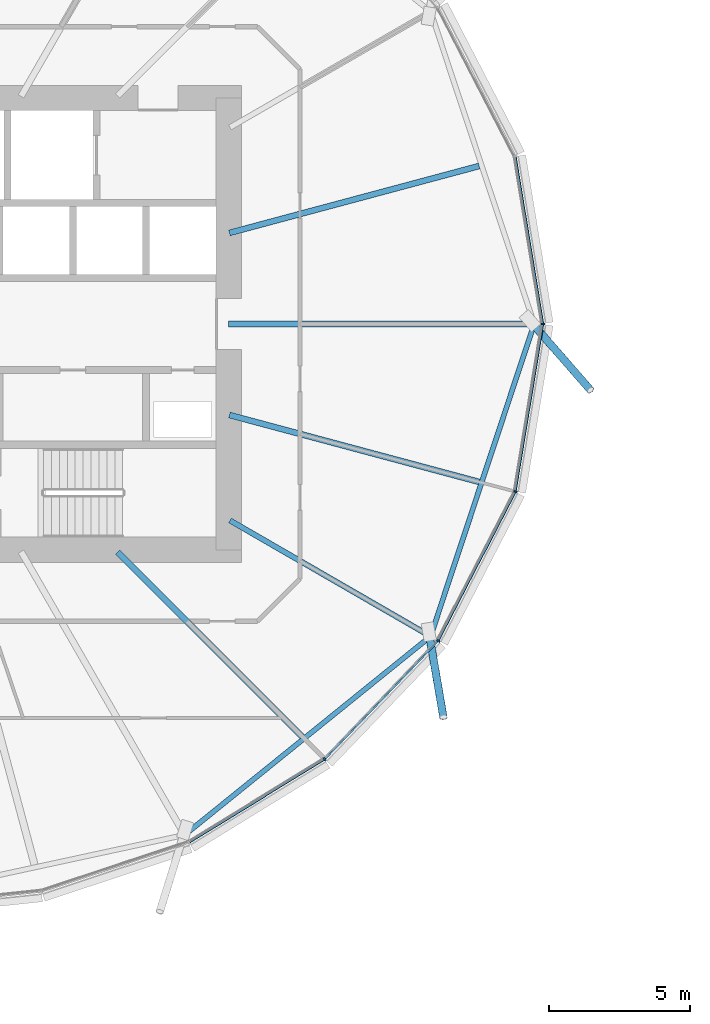
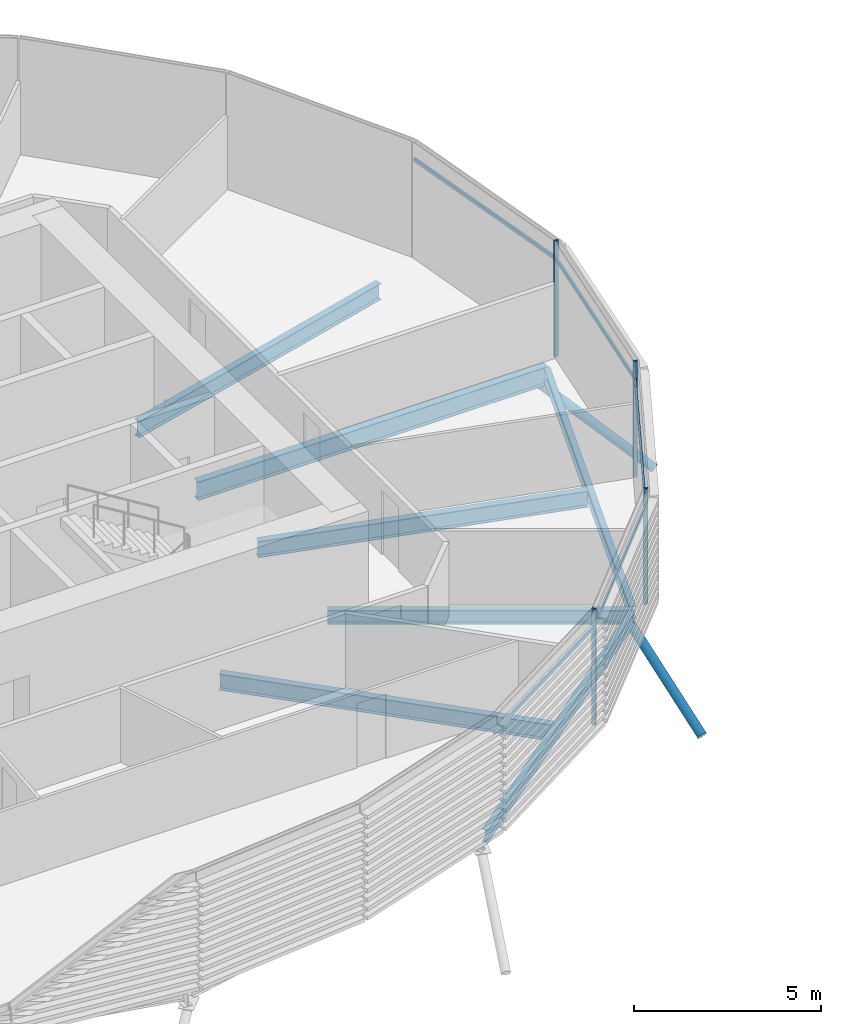
# One storey, part 7 of 37: 11 members, 7 beams, 1 element without a shape of its own.
"""IFC4 building model written with IfcOpenShell, lengths in metres."""

from ifc_helpers import new_model, si_unit, direction, frame, origin, origin_2d, place, context, subcontext, project, spatial, rectangle, hollow_circle, i_section, extrude, clip, halfspace, material, material_profile, profile_set, type_object, element, aggregate, save


model = new_model("IFC4")

# Units and contexts
model_context = context("Model", 3, precision=1e-05, world=origin(), true_north=direction((0.0, 1.0)))
body_context = subcontext(model_context, "Body", "Model", "MODEL_VIEW")
ifc_project = project(units=[si_unit("LENGTHUNIT", "METRE"), si_unit("AREAUNIT", "SQUARE_METRE"), si_unit("VOLUMEUNIT", "CUBIC_METRE"), si_unit("PLANEANGLEUNIT", "RADIAN"), si_unit("MASSUNIT", "GRAM", prefix="KILO")], contexts=[model_context])

# Site, building, storey
site_placement = place(None, origin())
site = spatial("IfcSite", under=ifc_project, at=site_placement, CompositionType="ELEMENT")
building_placement = place(site_placement, origin())
building = spatial("IfcBuilding", under=site, at=building_placement, Name="Rimbun Link Towers", CompositionType="ELEMENT")
storey_placement = place(building_placement, frame((0.0, 0.0, 60.39990234375)))
storey = spatial("IfcBuildingStorey", under=building, at=storey_placement, Name="L14", CompositionType="ELEMENT", Elevation=60.39990234375)

# Curtain wall, members
ifc_material_1 = material(Name="Aluminium 6063-T6 and low-iron glass", Category="aluminium")
curtain_wall_type = type_object("IfcCurtainWallType", Name="CW1 unitised vision wall", PredefinedType="NOTDEFINED", material=ifc_material_1)
curtain_wall_placement = place(storey_placement, origin())
curtain_wall = element("IfcCurtainWall", 1, at=curtain_wall_placement, inside=storey, type_object=curtain_wall_type, Name="CW1 L14 T1", PredefinedType="NOTDEFINED")
ifc_material_2 = material(Name="Aluminium 6063-T6", Category="aluminium")
ifc_material_profile_1 = material_profile(ifc_material_2, rectangle(XDim=0.1201171875, YDim=0.06005859375, at=origin_2d()), Name="MULLION 60X120")
ifc_profile_set_1 = profile_set([ifc_material_profile_1], Name="Aluminium 6063-T6")
member_type_1 = type_object("IfcMemberType", Name="CW1 mullion 60X120", PredefinedType="MULLION", material=ifc_profile_set_1)
member_1_placement = place(storey_placement, frame((-8.618896484375, 0.0, 0.0), z_axis=(0.0, 0.0, 1.0), x_axis=(1.0, 0.0, 0.0)))
member_1 = element("IfcMember", 2, at=member_1_placement, type_object=member_type_1, Name="CW1 mullion", PredefinedType="MULLION", context=body_context, shape_type="SweptSolid", body=[
    extrude(rectangle(XDim=0.1201171875, YDim=0.06005859375, at=origin_2d()), origin(), (0.0, 0.0, 1.0), 3.800048828125),
])
member_2_placement = place(storey_placement, frame((-16.3466796875, -15.412353515625, 0.0), z_axis=(0.0, 0.0, 1.0), x_axis=(0.627665729285, -0.778482968524, 0.0)))
member_2 = element("IfcMember", 3, at=member_2_placement, type_object=member_type_1, Name="CW1 mullion", PredefinedType="MULLION", context=body_context, shape_type="SweptSolid", body=[
    extrude(rectangle(XDim=0.1201171875, YDim=0.06005859375, at=origin_2d()), origin(), (0.0, 0.0, 1.0), 3.800048828125),
])
member_3_placement = place(storey_placement, frame((-12.32763671875, -11.22021484375, 0.0), z_axis=(0.0, 0.0, 1.0), x_axis=(0.813347990418, -0.581777488807, 0.0)))
member_3 = element("IfcMember", 4, at=member_3_placement, type_object=member_type_1, Name="CW1 mullion", PredefinedType="MULLION", context=body_context, shape_type="SweptSolid", body=[
    extrude(rectangle(XDim=0.1201171875, YDim=0.06005859375, at=origin_2d()), origin(), (0.0, 0.0, 1.0), 3.800048828125),
])
member_4_placement = place(storey_placement, frame((-9.595703125, -5.93994140625, 0.0), z_axis=(0.0, 0.0, 1.0), x_axis=(0.9491617925, -0.314788646011, 0.0)))
member_4 = element("IfcMember", 5, at=member_4_placement, type_object=member_type_1, Name="CW1 mullion", PredefinedType="MULLION", context=body_context, shape_type="SweptSolid", body=[
    extrude(rectangle(XDim=0.1201171875, YDim=0.06005859375, at=origin_2d()), origin(), (0.0, 0.0, 1.0), 3.800048828125),
])
ifc_material_3 = material(Name="Aluminium 6063-T6", Category="aluminium")
ifc_material_profile_2 = material_profile(ifc_material_3, rectangle(XDim=0.06005859375, YDim=0.1201171875, at=origin_2d()), Name="TRANSOM 60X120")
ifc_profile_set_2 = profile_set([ifc_material_profile_2], Name="Aluminium 6063-T6")
member_type_2 = type_object("IfcMemberType", Name="CW1 transom 60X120", PredefinedType="USERDEFINED", material=ifc_profile_set_2)
member_5_placement = place(storey_placement, frame((-9.590576171875, 5.90087890625, 3.2001953125), z_axis=(0.162252646062, -0.986749248212, 0.0), x_axis=(0.986749248212, 0.162252646062, 0.0)))
member_5 = element("IfcMember", 6, at=member_5_placement, type_object=member_type_2, Name="CW1 transom", ObjectType="TRANSOM", PredefinedType="USERDEFINED", context=body_context, shape_type="SweptSolid", body=[
    extrude(rectangle(XDim=0.06005859375, YDim=0.1201171875, at=origin_2d()), origin(), (0.0, 0.0, 1.0), 5.9404296875),
])
member_6_placement = place(storey_placement, frame((-16.379638671875, -15.4306640625, 3.2001953125), z_axis=(-0.852172941328, -0.523260239335, 0.0), x_axis=(0.523260239335, -0.852172941328, 0.0)))
member_6 = element("IfcMember", 7, at=member_6_placement, type_object=member_type_2, Name="CW1 transom", ObjectType="TRANSOM", PredefinedType="USERDEFINED", context=body_context, shape_type="SweptSolid", body=[
    extrude(rectangle(XDim=0.06005859375, YDim=0.1201171875, at=origin_2d()), origin(), (0.0, 0.0, 1.0), 5.566162109375),
])
member_7_placement = place(storey_placement, frame((-12.35546875, -11.2470703125, 3.2001953125), z_axis=(-0.692061710026, -0.721838340292, 0.0), x_axis=(0.721838340292, -0.692061710026, 0.0)))
member_7 = element("IfcMember", 8, at=member_7_placement, type_object=member_type_2, Name="CW1 transom", ObjectType="TRANSOM", PredefinedType="USERDEFINED", context=body_context, shape_type="SweptSolid", body=[
    extrude(rectangle(XDim=0.06005859375, YDim=0.1201171875, at=origin_2d()), origin(), (0.0, 0.0, 1.0), 5.731201171875),
])
member_8_placement = place(storey_placement, frame((-9.614990234375, -5.974365234375, 3.2001953125), z_axis=(-0.459554227284, -0.888149712709, 0.0), x_axis=(0.888149712709, -0.459554227284, 0.0)))
member_8 = element("IfcMember", 9, at=member_8_placement, type_object=member_type_2, Name="CW1 transom", ObjectType="TRANSOM", PredefinedType="USERDEFINED", context=body_context, shape_type="SweptSolid", body=[
    extrude(rectangle(XDim=0.06005859375, YDim=0.1201171875, at=origin_2d()), origin(), (0.0, 0.0, 1.0), 5.8671875),
])
member_9_placement = place(storey_placement, frame((-8.626708984375, -0.0390625, 3.2001953125), z_axis=(-0.162252646062, -0.986749248212, 0.0), x_axis=(0.986749248212, -0.162252646062, 0.0)))
member_9 = element("IfcMember", 10, at=member_9_placement, type_object=member_type_2, Name="CW1 transom", ObjectType="TRANSOM", PredefinedType="USERDEFINED", context=body_context, shape_type="SweptSolid", body=[
    extrude(rectangle(XDim=0.06005859375, YDim=0.1201171875, at=origin_2d()), origin(), (0.0, 0.0, 1.0), 5.9404296875),
])
aggregate(curtain_wall, [member_1, member_2, member_3, member_4, member_5, member_6, member_7, member_8, member_9])

# Members
ifc_material_4 = material(Name="Steel S355J2H", Category="steel")
ifc_material_profile_3 = material_profile(ifc_material_4, hollow_circle(Radius=0.136474609375, WallThickness=0.012451171875, at=origin_2d()), Name="CHS 273x12.5")
ifc_profile_set_3 = profile_set([ifc_material_profile_3], Name="Steel S355J2H")
member_type_3 = type_object("IfcMemberType", Name="Floor edge link CHS 273x12.5", PredefinedType="BRACE", material=ifc_profile_set_3)
member_10_placement = place(storey_placement, frame((-8.982421875, 0.0, -0.87841796875), z_axis=(0.557505669506, -0.639054642111, -0.529902437119), x_axis=(0.753550089662, 0.657390494584, 0.0)))
element("IfcMember", 11, at=member_10_placement, inside=storey, type_object=member_type_3, Name="Floor edge link T1 L14 00", PredefinedType="BRACE", context=body_context, shape_type="Clipping", body=[
    clip(extrude(hollow_circle(Radius=0.136474609375, WallThickness=0.012451171875, at=origin_2d()), frame((0.0, 0.0, -0.455810546875)), (0.0, 0.0, 1.0), 4.13525390625), halfspace(frame((0.0, 0.0, -0.215087890625), z_axis=(0.0, 0.848058610672, -0.529902437119)), False)),
])
member_11_placement = place(storey_placement, frame((-12.642578125, -11.031494140625, -0.726318359375), z_axis=(0.139881719513, -0.814754474066, -0.562679528271), x_axis=(0.985580015257, 0.169210027855, 0.0)))
element("IfcMember", 12, at=member_11_placement, inside=storey, type_object=member_type_3, Name="Floor edge link T1 L14 22", PredefinedType="BRACE", context=body_context, shape_type="Clipping", body=[
    clip(extrude(hollow_circle(Radius=0.136474609375, WallThickness=0.012451171875, at=origin_2d()), frame((0.0, 0.0, -0.4189453125)), (0.0, 0.0, 1.0), 3.981201171875), halfspace(frame((0.0, 0.0, -0.197265625), z_axis=(0.0, 0.826675116636, -0.562679528271)), False)),
])

# Beams
ifc_material_5 = material(Name="Steel S355J2", Category="steel")
ifc_material_profile_4 = material_profile(ifc_material_5, i_section(OverallWidth=0.177978515625, OverallDepth=0.406494140625, WebThickness=0.0078125, FlangeThickness=0.0126953125, at=origin_2d()), Name="UB 406x178x60")
ifc_profile_set_4 = profile_set([ifc_material_profile_4], Name="Steel S355J2")
beam_type_1 = type_object("IfcBeamType", Name="UB 406x178x60", PredefinedType="BEAM", material=ifc_profile_set_4)
beam_1_placement = place(storey_placement, frame((-21.21630859375, -18.015380859375, -0.363037109375), z_axis=(0.77798007957, 0.628288942917, 0.0), x_axis=(-0.628288942917, 0.77798007957, 0.0)))
element("IfcBeam", 13, at=beam_1_placement, inside=storey, type_object=beam_type_1, Name="Edge beam T1 L14 20-22", PredefinedType="BEAM", context=body_context, shape_type="SweptSolid", body=[
    extrude(i_section(OverallWidth=0.177978515625, OverallDepth=0.406494140625, WebThickness=0.0078125, FlangeThickness=0.0126953125, at=origin_2d()), origin(), (0.0, 0.0, 1.0), 10.97314453125),
])
beam_2_placement = place(storey_placement, frame((-12.568603515625, -10.963623046875, -0.363037109375), z_axis=(0.31479844704, 0.949158541942, 0.0), x_axis=(-0.949158541942, 0.31479844704, 0.0)))
element("IfcBeam", 14, at=beam_2_placement, inside=storey, type_object=beam_type_1, Name="Edge beam T1 L14 22-00", PredefinedType="BEAM", context=body_context, shape_type="SweptSolid", body=[
    extrude(i_section(OverallWidth=0.177978515625, OverallDepth=0.406494140625, WebThickness=0.0078125, FlangeThickness=0.0126953125, at=origin_2d()), origin(), (0.0, 0.0, 1.0), 11.429931640625),
])
ifc_material_6 = material(Name="Steel S355J2", Category="steel")
ifc_material_profile_5 = material_profile(ifc_material_6, i_section(OverallWidth=0.18994140625, OverallDepth=0.453369140625, WebThickness=0.008544921875, FlangeThickness=0.0126953125, at=origin_2d()), Name="UB 457x191x67")
ifc_profile_set_5 = profile_set([ifc_material_profile_5], Name="Steel S355J2")
beam_type_2 = type_object("IfcBeamType", Name="UB 457x191x67", PredefinedType="BEAM", material=ifc_profile_set_5)
beam_3_placement = place(storey_placement, frame((-19.70166015625, -6.9560546875, -0.38671875), z_axis=(0.866021493816, -0.500006772202, 0.0), x_axis=(0.500006772202, 0.866021493816, 0.0)))
element("IfcBeam", 15, at=beam_3_placement, inside=storey, type_object=beam_type_2, Name="Radial beam T1 L14 22", PredefinedType="BEAM", context=body_context, shape_type="SweptSolid", body=[
    extrude(i_section(OverallWidth=0.18994140625, OverallDepth=0.453369140625, WebThickness=0.008544921875, FlangeThickness=0.0126953125, at=origin_2d()), origin(), (0.0, 0.0, 1.0), 8.201171875),
])
ifc_material_7 = material(Name="Steel S355J2", Category="steel")
ifc_material_profile_6 = material_profile(ifc_material_7, i_section(OverallWidth=0.209228515625, OverallDepth=0.533203125, WebThickness=0.010009765625, FlangeThickness=0.015625, at=origin_2d()), Name="UB 533x210x92")
ifc_profile_set_6 = profile_set([ifc_material_profile_6], Name="Steel S355J2")
beam_type_3 = type_object("IfcBeamType", Name="UB 533x210x92", PredefinedType="BEAM", material=ifc_profile_set_6)
beam_4_placement = place(storey_placement, frame((-19.721923828125, 3.222900390625, -0.426513671875), z_axis=(0.96592209333, 0.258832976293, 0.0), x_axis=(-0.258832976293, 0.96592209333, 0.0)))
element("IfcBeam", 16, at=beam_4_placement, inside=storey, type_object=beam_type_3, Name="Radial beam T1 L14 01", PredefinedType="BEAM", context=body_context, shape_type="SweptSolid", body=[
    extrude(i_section(OverallWidth=0.209228515625, OverallDepth=0.533203125, WebThickness=0.010009765625, FlangeThickness=0.015625, at=origin_2d()), origin(), (0.0, 0.0, 1.0), 9.152099609375),
])
beam_5_placement = place(storey_placement, frame((-23.67529296875, -8.07470703125, -0.426513671875), z_axis=(0.707106781187, -0.707106781187, 0.0), x_axis=(0.707106781187, 0.707106781187, 0.0)))
element("IfcBeam", 17, at=beam_5_placement, inside=storey, type_object=beam_type_3, Name="Radial beam T1 L14 21", PredefinedType="BEAM", context=body_context, shape_type="SweptSolid", body=[
    extrude(i_section(OverallWidth=0.209228515625, OverallDepth=0.533203125, WebThickness=0.010009765625, FlangeThickness=0.015625, at=origin_2d()), origin(), (0.0, 0.0, 1.0), 9.24072265625),
])
beam_6_placement = place(storey_placement, frame((-19.721923828125, -3.222900390625, -0.426513671875), z_axis=(0.96592209333, -0.258832976293, 0.0), x_axis=(0.258832976293, 0.96592209333, 0.0)))
element("IfcBeam", 18, at=beam_6_placement, inside=storey, type_object=beam_type_3, Name="Radial beam T1 L14 23", PredefinedType="BEAM", context=body_context, shape_type="SweptSolid", body=[
    extrude(i_section(OverallWidth=0.209228515625, OverallDepth=0.533203125, WebThickness=0.010009765625, FlangeThickness=0.015625, at=origin_2d()), origin(), (0.0, 0.0, 1.0), 9.152099609375),
])
ifc_material_8 = material(Name="Steel S355J2", Category="steel")
ifc_material_profile_7 = material_profile(ifc_material_8, i_section(OverallWidth=0.2275390625, OverallDepth=0.6025390625, WebThickness=0.010498046875, FlangeThickness=0.014892578125, at=origin_2d()), Name="UB 610x229x101")
ifc_profile_set_7 = profile_set([ifc_material_profile_7], Name="Steel S355J2")
beam_type_4 = type_object("IfcBeamType", Name="UB 610x229x101", PredefinedType="BEAM", material=ifc_profile_set_7)
beam_7_placement = place(storey_placement, frame((-19.7490234375, 0.0, -0.461181640625), z_axis=(1.0, 0.0, 0.0), x_axis=(0.0, 1.0, 0.0)))
element("IfcBeam", 19, at=beam_7_placement, inside=storey, type_object=beam_type_4, Name="Radial beam T1 L14 00", PredefinedType="BEAM", context=body_context, shape_type="SweptSolid", body=[
    extrude(i_section(OverallWidth=0.2275390625, OverallDepth=0.6025390625, WebThickness=0.010498046875, FlangeThickness=0.014892578125, at=origin_2d()), origin(), (0.0, 0.0, 1.0), 10.816650390625),
])

save(model, "model.ifc")
